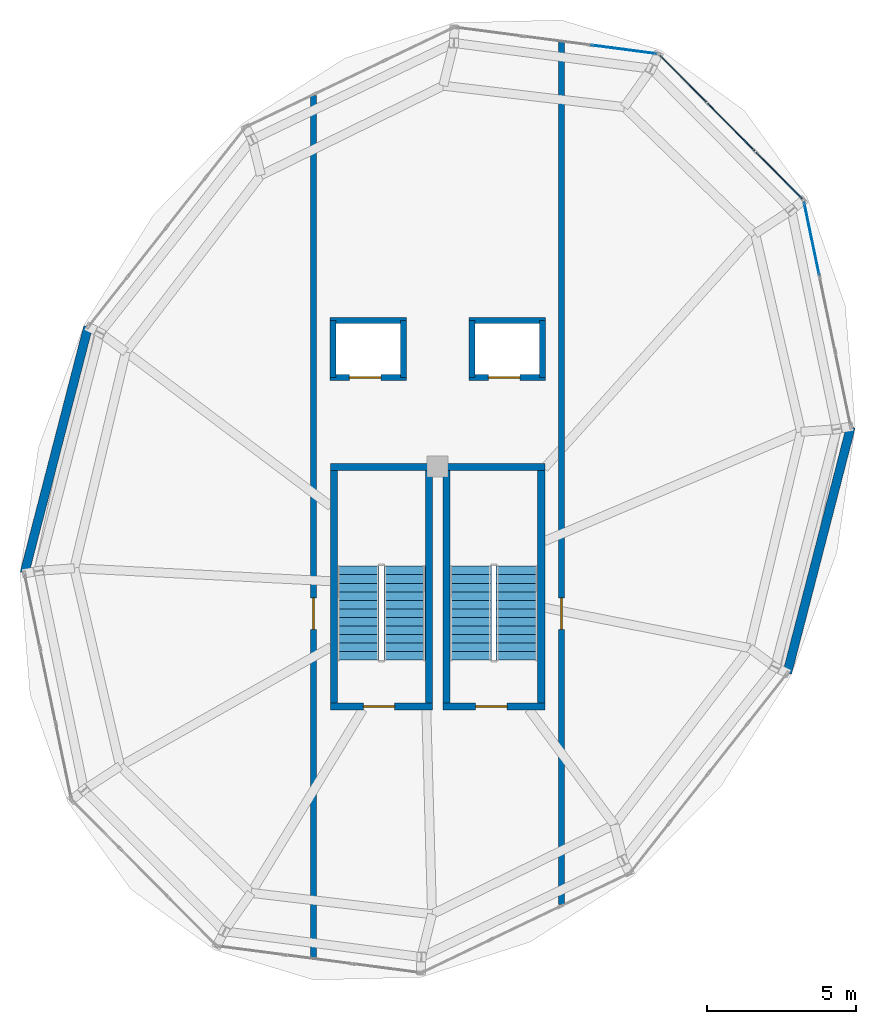
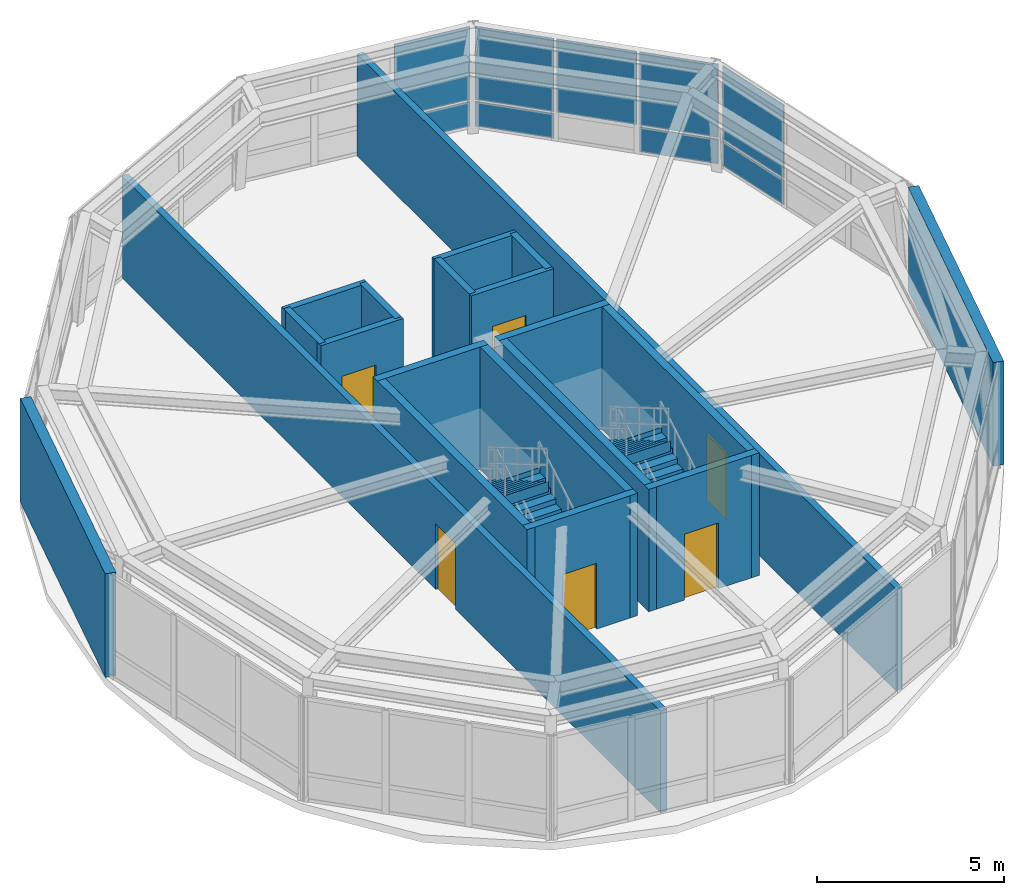
# One storey, part 10 of 11: 20 walls, 9 plates, 6 doors, 4 stair flights, 6 openings, 5 elements without a shape of their own.
"""IFC4 building model written with IfcOpenShell, lengths in metres."""

from ifc_helpers import new_model, si_unit, direction, frame, frame_2d, origin, origin_2d, place, context, subcontext, project, spatial, polyline, rectangle, outline, extrude, material, layer, layer_set, type_object, element, fill, aggregate, save


model = new_model("IFC4")

# Units and contexts
model_context = context("Model", 3, precision=1e-05, world=origin(), true_north=direction((0.0, 1.0)))
body_context = subcontext(model_context, "Body", "Model", "MODEL_VIEW")
ifc_project = project(units=[si_unit("LENGTHUNIT", "METRE"), si_unit("AREAUNIT", "SQUARE_METRE"), si_unit("VOLUMEUNIT", "CUBIC_METRE"), si_unit("PLANEANGLEUNIT", "RADIAN"), si_unit("MASSUNIT", "GRAM", prefix="KILO"), si_unit("THERMODYNAMICTEMPERATUREUNIT", "KELVIN"), si_unit("POWERUNIT", "WATT")], contexts=[model_context])

# Site, building, storey
site_placement = place(None, origin())
site = spatial("IfcSite", under=ifc_project, at=site_placement, CompositionType="ELEMENT")
building_placement = place(site_placement, origin())
building = spatial("IfcBuilding", under=site, at=building_placement, Name="Ocrelia Relay Tower", CompositionType="ELEMENT")
storey_placement = place(building_placement, frame((0.0, 0.0, 292.0)))
storey = spatial("IfcBuildingStorey", under=building, at=storey_placement, Name="L73", CompositionType="ELEMENT", Elevation=292.0)

# Curtain wall, plates
ifc_material_1 = material(Name="Aluminium and solar-control low-E glass", Category="aluminium")
ifc_layer_1 = layer(ifc_material_1, 0.179931640625, Name="Aluminium and solar-control low-E glass")
ifc_layer_set_1 = layer_set([ifc_layer_1], Name="Aluminium and solar-control low-E glass")
curtain_wall_type = type_object("IfcCurtainWallType", Name="CW-SYS-CROWN-PT", PredefinedType="NOTDEFINED", material=ifc_layer_set_1)
curtain_wall_1_placement = place(storey_placement, origin())
curtain_wall_1 = element("IfcCurtainWall", 1, at=curtain_wall_1_placement, inside=storey, type_object=curtain_wall_type, Name="L73 Faceted Glass-Point Crown Curtain Wall 01", PredefinedType="NOTDEFINED")
ifc_material_2 = material(Name="Clear double-glazed low-E glass", Category="glass")
ifc_layer_2 = layer(ifc_material_2, 0.031982421875, Name="Clear double-glazed low-E glass")
ifc_layer_set_2 = layer_set([ifc_layer_2], Name="Clear double-glazed low-E glass")
plate_type = type_object("IfcPlateType", Name="CW-SYS-CROWN-PT-PNL", PredefinedType="CURTAIN_PANEL", material=ifc_layer_set_2)
plate_1_placement = place(storey_placement, frame((40.232177734375, 41.072021484375, 0.06494140625), z_axis=(0.0, 0.0, 1.0), x_axis=(-0.991499842272, 0.13010788898, 0.0)))
plate_1 = element("IfcPlate", 2, at=plate_1_placement, type_object=plate_type, Name="CW-CR panel 1.1", PredefinedType="CURTAIN_PANEL", context=body_context, shape_type="SweptSolid", body=[
    extrude(rectangle(XDim=2.18603515625, YDim=0.031982421875, at=origin_2d()), origin(), (0.0, 0.0, 1.0), 0.802490234375),
])
plate_2_placement = place(storey_placement, frame((40.232177734375, 41.072021484375, 0.932373046875), z_axis=(0.0, 0.0, 1.0), x_axis=(-0.991499842272, 0.13010788898, 0.0)))
plate_2 = element("IfcPlate", 3, at=plate_2_placement, type_object=plate_type, Name="CW-CR panel 1.2", PredefinedType="CURTAIN_PANEL", context=body_context, shape_type="SweptSolid", body=[
    extrude(rectangle(XDim=2.18603515625, YDim=0.031982421875, at=origin_2d()), origin(), (0.0, 0.0, 1.0), 2.392578125),
])
aggregate(curtain_wall_1, [plate_1, plate_2])

curtain_wall_2_placement = place(storey_placement, origin())
curtain_wall_2 = element("IfcCurtainWall", 4, at=curtain_wall_2_placement, inside=storey, type_object=curtain_wall_type, Name="L73 Faceted Glass-Point Crown Curtain Wall 11", PredefinedType="NOTDEFINED")
plate_3_placement = place(storey_placement, frame((46.513427734375, 34.7431640625, 0.06494140625), z_axis=(0.0, 0.0, 1.0), x_axis=(-0.203457068306, 0.979083868397, 0.0)))
plate_3 = element("IfcPlate", 5, at=plate_3_placement, type_object=plate_type, Name="CW-CR panel 3.1", PredefinedType="CURTAIN_PANEL", context=body_context, shape_type="SweptSolid", body=[
    extrude(rectangle(XDim=2.468505859375, YDim=0.031982421875, at=origin_2d()), origin(), (0.0, 0.0, 1.0), 0.802490234375),
])
plate_4_placement = place(storey_placement, frame((46.513427734375, 34.7431640625, 0.932373046875), z_axis=(0.0, 0.0, 1.0), x_axis=(-0.203457068306, 0.979083868397, 0.0)))
plate_4 = element("IfcPlate", 6, at=plate_4_placement, type_object=plate_type, Name="CW-CR panel 3.2", PredefinedType="CURTAIN_PANEL", context=body_context, shape_type="SweptSolid", body=[
    extrude(rectangle(XDim=2.468505859375, YDim=0.031982421875, at=origin_2d()), origin(), (0.0, 0.0, 1.0), 2.392578125),
])
aggregate(curtain_wall_2, [plate_3, plate_4])

curtain_wall_3_placement = place(storey_placement, origin())
curtain_wall_3 = element("IfcCurtainWall", 7, at=curtain_wall_3_placement, inside=storey, type_object=curtain_wall_type, Name="L73 Faceted Glass-Point Crown Curtain Wall 12", PredefinedType="NOTDEFINED")
plate_5_placement = place(storey_placement, frame((45.42431640625, 36.854248046875, 0.06494140625), z_axis=(0.0, 0.0, 1.0), x_axis=(-0.70433153763, 0.709871175003, 0.0)))
plate_5 = element("IfcPlate", 8, at=plate_5_placement, type_object=plate_type, Name="CW-CR panel 1.1", PredefinedType="CURTAIN_PANEL", context=body_context, shape_type="SweptSolid", body=[
    extrude(rectangle(XDim=2.18603515625, YDim=0.031982421875, at=origin_2d()), origin(), (0.0, 0.0, 1.0), 0.802490234375),
])
plate_6_placement = place(storey_placement, frame((45.42431640625, 36.854248046875, 0.932373046875), z_axis=(0.0, 0.0, 1.0), x_axis=(-0.70433153763, 0.709871175003, 0.0)))
plate_6 = element("IfcPlate", 9, at=plate_6_placement, type_object=plate_type, Name="CW-CR panel 1.2", PredefinedType="CURTAIN_PANEL", context=body_context, shape_type="SweptSolid", body=[
    extrude(rectangle(XDim=2.18603515625, YDim=0.031982421875, at=origin_2d()), origin(), (0.0, 0.0, 1.0), 2.392578125),
])
plate_7_placement = place(storey_placement, frame((43.818603515625, 38.47265625, 0.932373046875), z_axis=(0.0, 0.0, 1.0), x_axis=(-0.70433153763, 0.709871175003, 0.0)))
plate_7 = element("IfcPlate", 10, at=plate_7_placement, type_object=plate_type, Name="CW-CR panel 2.2", PredefinedType="CURTAIN_PANEL", context=body_context, shape_type="SweptSolid", body=[
    extrude(rectangle(XDim=2.2236328125, YDim=0.031982421875, at=origin_2d()), origin(), (0.0, 0.0, 1.0), 2.392578125),
])
plate_8_placement = place(storey_placement, frame((42.212890625, 40.0908203125, 0.06494140625), z_axis=(0.0, 0.0, 1.0), x_axis=(-0.70433153763, 0.709871175003, 0.0)))
plate_8 = element("IfcPlate", 11, at=plate_8_placement, type_object=plate_type, Name="CW-CR panel 3.1", PredefinedType="CURTAIN_PANEL", context=body_context, shape_type="SweptSolid", body=[
    extrude(rectangle(XDim=2.18603515625, YDim=0.031982421875, at=origin_2d()), origin(), (0.0, 0.0, 1.0), 0.802490234375),
])
plate_9_placement = place(storey_placement, frame((42.212890625, 40.0908203125, 0.932373046875), z_axis=(0.0, 0.0, 1.0), x_axis=(-0.70433153763, 0.709871175003, 0.0)))
plate_9 = element("IfcPlate", 12, at=plate_9_placement, type_object=plate_type, Name="CW-CR panel 3.2", PredefinedType="CURTAIN_PANEL", context=body_context, shape_type="SweptSolid", body=[
    extrude(rectangle(XDim=2.18603515625, YDim=0.031982421875, at=origin_2d()), origin(), (0.0, 0.0, 1.0), 2.392578125),
])
aggregate(curtain_wall_3, [plate_5, plate_6, plate_7, plate_8, plate_9])

# Wall, opening, door
ifc_material_3 = material(Name="Concrete C50/60", Category="concrete")
ifc_layer_3 = layer(ifc_material_3, 0.239990234375, Name="Concrete C50/60")
ifc_layer_set_3 = layer_set([ifc_layer_3], Name="Concrete C50/60")
wall_type_1 = type_object("IfcWallType", Name="CW-STAIR-240", PredefinedType="SHEAR", material=ifc_layer_set_3)
wall_1_placement = place(storey_placement, frame((30.412109375, 19.092041015625, 0.0), z_axis=(0.0, 0.0, 1.0), x_axis=(1.0, 0.0, 0.0)))
wall_1 = element("IfcWall", 13, at=wall_1_placement, inside=storey, type_object=wall_type_1, Name="L73 ST4 Structural Shaft S Wall", PredefinedType="SHEAR", context=body_context, shape_type="SweptSolid", body=[
    extrude(rectangle(XDim=3.415771484375, YDim=0.239990234375, at=frame_2d((1.7080078125, 0.0))), origin(), (0.0, 0.0, 1.0), 4.0),
])
opening_1_placement = place(wall_1_placement, frame((1.10009765625, 0.0, 0.0)))
opening_1 = element("IfcOpeningElement", 14, at=opening_1_placement, cuts=wall_1, Name="Opening D-FD90", PredefinedType="OPENING", context=body_context, shape_type="SweptSolid", body=[
    extrude(rectangle(XDim=1.050048828125, YDim=2.14990234375, at=frame_2d((0.52490234375, 1.074951171875))), frame((0.0, 0.1298828125, 0.0), z_axis=(0.0, -1.0, 0.0), x_axis=(1.0, 0.0, 0.0)), (0.0, 0.0, 1.0), 0.260009765625),
])
ifc_material_4 = material(Name="Steel S355 90-min fire door", Category="steel")
door_type_1 = type_object("IfcDoorType", Name="DR-STAIR-FD90-1050", OperationType="NOTDEFINED", PredefinedType="DOOR", material=ifc_material_4)
door_1_placement = place(opening_1_placement, origin())
door_1 = element("IfcDoor", 15, at=door_1_placement, inside=storey, type_object=door_type_1, Name="L73 Crown Stair ST4 Fire Door", OperationType="SINGLE_SWING_LEFT", OverallHeight=2.14990234375, OverallWidth=1.050048828125, PredefinedType="DOOR", context=body_context, shape_type="SweptSolid", body=[
    extrude(rectangle(XDim=1.050048828125, YDim=2.14990234375, at=frame_2d((0.52490234375, 1.074951171875))), frame((0.0, 0.02490234375, 0.0), z_axis=(0.0, -1.0, 0.0), x_axis=(1.0, 0.0, 0.0)), (0.0, 0.0, 1.0), 0.050048828125),
])
fill(opening_1, door_1)

# Walls
wall_2_placement = place(storey_placement, frame((30.412109375, 27.10791015625, 0.0), z_axis=(0.0, 0.0, 1.0), x_axis=(1.0, 0.0, 0.0)))
element("IfcWall", 16, at=wall_2_placement, inside=storey, type_object=wall_type_1, Name="L73 ST4 Structural Shaft N Wall", PredefinedType="SHEAR", context=body_context, shape_type="SweptSolid", body=[
    extrude(rectangle(XDim=3.415771484375, YDim=0.239990234375, at=frame_2d((1.7080078125, 0.0))), origin(), (0.0, 0.0, 1.0), 4.0),
])
for number, where, z_axis, x_axis, name in (
    (17, (30.531982421875, 18.971923828125, 0.0), (0.0, 0.0, 1.0), (0.0, 1.0, 0.0), "L73 ST4 Structural Shaft W Wall"),
    (18, (33.7080078125, 18.971923828125, 0.0), (0.0, 0.0, 1.0), (0.0, 1.0, 0.0), "L73 ST4 Structural Shaft E Wall"),
):
    element("IfcWall", number, at=place(storey_placement, frame(where, z_axis=z_axis, x_axis=x_axis)), inside=storey, type_object=wall_type_1, Name=name, PredefinedType="SHEAR", context=body_context, shape_type="SweptSolid", body=[
        extrude(rectangle(XDim=8.256103515625, YDim=0.239990234375, at=frame_2d((4.1279296875, 0.0))), origin(), (0.0, 0.0, 1.0), 4.0),
    ])

# Wall, opening, door
wall_3_placement = place(storey_placement, frame((34.172119140625, 19.092041015625, 0.0), z_axis=(0.0, 0.0, 1.0), x_axis=(1.0, 0.0, 0.0)))
wall_3 = element("IfcWall", 19, at=wall_3_placement, inside=storey, type_object=wall_type_1, Name="L73 ST5 Structural Shaft S Wall", PredefinedType="SHEAR", context=body_context, shape_type="SweptSolid", body=[
    extrude(rectangle(XDim=3.415771484375, YDim=0.239990234375, at=frame_2d((1.7080078125, 0.0))), origin(), (0.0, 0.0, 1.0), 4.0),
])
opening_2_placement = place(wall_3_placement, frame((1.10009765625, 0.0, 0.0)))
opening_2 = element("IfcOpeningElement", 20, at=opening_2_placement, cuts=wall_3, Name="Opening D-FD90", PredefinedType="OPENING", context=body_context, shape_type="SweptSolid", body=[
    extrude(rectangle(XDim=1.050048828125, YDim=2.14990234375, at=frame_2d((0.52490234375, 1.074951171875))), frame((0.0, 0.1298828125, 0.0), z_axis=(0.0, -1.0, 0.0), x_axis=(1.0, 0.0, 0.0)), (0.0, 0.0, 1.0), 0.260009765625),
])
door_2_placement = place(opening_2_placement, origin())
door_2 = element("IfcDoor", 21, at=door_2_placement, inside=storey, type_object=door_type_1, Name="L73 Crown Stair ST5 Fire Door", OperationType="SINGLE_SWING_RIGHT", OverallHeight=2.14990234375, OverallWidth=1.050048828125, PredefinedType="DOOR", context=body_context, shape_type="SweptSolid", body=[
    extrude(rectangle(XDim=1.050048828125, YDim=2.14990234375, at=frame_2d((0.52490234375, 1.074951171875))), frame((0.0, 0.02490234375, 0.0), z_axis=(0.0, -1.0, 0.0), x_axis=(1.0, 0.0, 0.0)), (0.0, 0.0, 1.0), 0.050048828125),
])
fill(opening_2, door_2)

# Walls
wall_4_placement = place(storey_placement, frame((34.172119140625, 27.10791015625, 0.0), z_axis=(0.0, 0.0, 1.0), x_axis=(1.0, 0.0, 0.0)))
element("IfcWall", 22, at=wall_4_placement, inside=storey, type_object=wall_type_1, Name="L73 ST5 Structural Shaft N Wall", PredefinedType="SHEAR", context=body_context, shape_type="SweptSolid", body=[
    extrude(rectangle(XDim=3.415771484375, YDim=0.239990234375, at=frame_2d((1.7080078125, 0.0))), origin(), (0.0, 0.0, 1.0), 4.0),
])
for number, where, z_axis, x_axis, name in (
    (23, (34.2919921875, 18.971923828125, 0.0), (0.0, 0.0, 1.0), (0.0, 1.0, 0.0), "L73 ST5 Structural Shaft W Wall"),
    (24, (37.468017578125, 18.971923828125, 0.0), (0.0, 0.0, 1.0), (0.0, 1.0, 0.0), "L73 ST5 Structural Shaft E Wall"),
):
    element("IfcWall", number, at=place(storey_placement, frame(where, z_axis=z_axis, x_axis=x_axis)), inside=storey, type_object=wall_type_1, Name=name, PredefinedType="SHEAR", context=body_context, shape_type="SweptSolid", body=[
        extrude(rectangle(XDim=8.256103515625, YDim=0.239990234375, at=frame_2d((4.1279296875, 0.0))), origin(), (0.0, 0.0, 1.0), 4.0),
    ])
ifc_material_5 = material(Name="Precast concrete C40/50 with oxide terracotta", Category="masonry")
ifc_layer_4 = layer(ifc_material_5, 0.300048828125, Name="Precast concrete C40/50 with oxide terracotta")
ifc_layer_set_4 = layer_set([ifc_layer_4], Name="Precast concrete C40/50 with oxide terracotta")
wall_type_2 = type_object("IfcWallType", Name="W-EXT-TERR-300", PredefinedType="SOLIDWALL", material=ifc_layer_set_4)
for number, where, z_axis, x_axis, name in (
    (25, (22.305908203125, 31.792236328125, 0.0), (0.0, 0.0, 1.0), (-0.250206108031, -0.968192596286, 0.0), "L73 Crown Braced Terracotta Spine Wall 04"),
    (26, (45.694091796875, 20.207763671875, 0.0), (0.0, 0.0, 1.0), (0.250206108031, 0.968192596286, 0.0), "L73 Crown Braced Terracotta Spine Wall 10"),
):
    element("IfcWall", number, at=place(storey_placement, frame(where, z_axis=z_axis, x_axis=x_axis)), inside=storey, type_object=wall_type_2, Name=name, PredefinedType="SOLIDWALL", context=body_context, shape_type="SweptSolid", body=[
        extrude(rectangle(XDim=8.506591796875, YDim=0.300048828125, at=frame_2d((4.25341796875, 0.0))), origin(), (0.0, 0.0, 1.0), 3.389892578125),
    ])

# Wall, opening, door
ifc_layer_5 = layer(ifc_material_3, 0.199951171875, Name="Concrete C50/60")
ifc_layer_set_5 = layer_set([ifc_layer_5], Name="Concrete C50/60")
wall_type_3 = type_object("IfcWallType", Name="W-SHAFT-EI120-200", PredefinedType="SOLIDWALL", material=ifc_layer_set_5)
wall_5_placement = place(storey_placement, frame((30.39990234375, 30.10009765625, 0.0), z_axis=(0.0, 0.0, 1.0), x_axis=(1.0, 0.0, 0.0)))
wall_5 = element("IfcWall", 27, at=wall_5_placement, inside=storey, type_object=wall_type_3, Name="L73 FFL1 South Wall", PredefinedType="SOLIDWALL", context=body_context, shape_type="SweptSolid", body=[
    extrude(rectangle(XDim=2.550048828125, YDim=0.199951171875, at=frame_2d((1.27490234375, 0.0))), origin(), (0.0, 0.0, 1.0), 3.330078125),
])
opening_3_placement = place(wall_5_placement, frame((0.64990234375, 0.0, 0.0)))
opening_3 = element("IfcOpeningElement", 28, at=opening_3_placement, cuts=wall_5, Name="Opening LD-FFL1", PredefinedType="OPENING", context=body_context, shape_type="SweptSolid", body=[
    extrude(rectangle(XDim=1.050048828125, YDim=2.10009765625, at=frame_2d((0.52490234375, 1.050048828125))), frame((0.0, 0.10986328125, 0.0), z_axis=(0.0, -1.0, 0.0), x_axis=(1.0, 0.0, 0.0)), (0.0, 0.0, 1.0), 0.219970703125),
])
ifc_material_6 = material(Name="Brushed stainless steel S355 lift landing door", Category="steel")
door_type_2 = type_object("IfcDoorType", Name="DR-LIFT-LAND-1050", OperationType="DOUBLE_DOOR_SLIDING", PredefinedType="USERDEFINED", material=ifc_material_6)
door_3_placement = place(opening_3_placement, origin())
door_3 = element("IfcDoor", 29, at=door_3_placement, inside=storey, type_object=door_type_2, Name="L73 FFL1 Sliding Landing Door", ObjectType="LANDING DOOR", OperationType="DOUBLE_DOOR_SLIDING", OverallHeight=2.10009765625, OverallWidth=1.050048828125, PredefinedType="USERDEFINED", context=body_context, shape_type="SweptSolid", body=[
    extrude(rectangle(XDim=1.050048828125, YDim=2.10009765625, at=frame_2d((0.52490234375, 1.050048828125))), frame((0.0, 0.02490234375, 0.0), z_axis=(0.0, -1.0, 0.0), x_axis=(1.0, 0.0, 0.0)), (0.0, 0.0, 1.0), 0.050048828125),
])
fill(opening_3, door_3)

# Walls
wall_6_placement = place(storey_placement, frame((30.39990234375, 32.0, 0.0), z_axis=(0.0, 0.0, 1.0), x_axis=(1.0, 0.0, 0.0)))
element("IfcWall", 30, at=wall_6_placement, inside=storey, type_object=wall_type_3, Name="L73 FFL1 N Wall", PredefinedType="SOLIDWALL", context=body_context, shape_type="SweptSolid", body=[
    extrude(rectangle(XDim=2.550048828125, YDim=0.199951171875, at=frame_2d((1.27490234375, 0.0))), origin(), (0.0, 0.0, 1.0), 3.330078125),
])
for number, where, z_axis, x_axis, name in (
    (31, (30.5, 30.10009765625, 0.0), (0.0, 0.0, 1.0), (0.0, 1.0, 0.0), "L73 FFL1 W Wall"),
    (32, (32.85009765625, 30.10009765625, 0.0), (0.0, 0.0, 1.0), (0.0, 1.0, 0.0), "L73 FFL1 E Wall"),
):
    element("IfcWall", number, at=place(storey_placement, frame(where, z_axis=z_axis, x_axis=x_axis)), inside=storey, type_object=wall_type_3, Name=name, PredefinedType="SOLIDWALL", context=body_context, shape_type="SweptSolid", body=[
        extrude(rectangle(XDim=1.89990234375, YDim=0.199951171875, at=frame_2d((0.949951171875, 0.0))), origin(), (0.0, 0.0, 1.0), 3.330078125),
    ])

# Wall, opening, door
wall_7_placement = place(storey_placement, frame((35.050048828125, 30.10009765625, 0.0), z_axis=(0.0, 0.0, 1.0), x_axis=(1.0, 0.0, 0.0)))
wall_7 = element("IfcWall", 33, at=wall_7_placement, inside=storey, type_object=wall_type_3, Name="L73 FFL2 South Wall", PredefinedType="SOLIDWALL", context=body_context, shape_type="SweptSolid", body=[
    extrude(rectangle(XDim=2.550048828125, YDim=0.199951171875, at=frame_2d((1.27490234375, 0.0))), origin(), (0.0, 0.0, 1.0), 3.330078125),
])
opening_4_placement = place(wall_7_placement, frame((0.64990234375, 0.0, 0.0)))
opening_4 = element("IfcOpeningElement", 34, at=opening_4_placement, cuts=wall_7, Name="Opening LD-FFL2", PredefinedType="OPENING", context=body_context, shape_type="SweptSolid", body=[
    extrude(rectangle(XDim=1.050048828125, YDim=2.10009765625, at=frame_2d((0.52490234375, 1.050048828125))), frame((0.0, 0.10986328125, 0.0), z_axis=(0.0, -1.0, 0.0), x_axis=(1.0, 0.0, 0.0)), (0.0, 0.0, 1.0), 0.219970703125),
])
door_4_placement = place(opening_4_placement, origin())
door_4 = element("IfcDoor", 35, at=door_4_placement, inside=storey, type_object=door_type_2, Name="L73 FFL2 Sliding Landing Door", ObjectType="LANDING DOOR", OperationType="DOUBLE_DOOR_SLIDING", OverallHeight=2.10009765625, OverallWidth=1.050048828125, PredefinedType="USERDEFINED", context=body_context, shape_type="SweptSolid", body=[
    extrude(rectangle(XDim=1.050048828125, YDim=2.10009765625, at=frame_2d((0.52490234375, 1.050048828125))), frame((0.0, 0.02490234375, 0.0), z_axis=(0.0, -1.0, 0.0), x_axis=(1.0, 0.0, 0.0)), (0.0, 0.0, 1.0), 0.050048828125),
])
fill(opening_4, door_4)

# Walls
wall_8_placement = place(storey_placement, frame((35.050048828125, 32.0, 0.0), z_axis=(0.0, 0.0, 1.0), x_axis=(1.0, 0.0, 0.0)))
element("IfcWall", 36, at=wall_8_placement, inside=storey, type_object=wall_type_3, Name="L73 FFL2 N Wall", PredefinedType="SOLIDWALL", context=body_context, shape_type="SweptSolid", body=[
    extrude(rectangle(XDim=2.550048828125, YDim=0.199951171875, at=frame_2d((1.27490234375, 0.0))), origin(), (0.0, 0.0, 1.0), 3.330078125),
])
for number, where, z_axis, x_axis, name in (
    (37, (35.14990234375, 30.10009765625, 0.0), (0.0, 0.0, 1.0), (0.0, 1.0, 0.0), "L73 FFL2 W Wall"),
    (38, (37.5, 30.10009765625, 0.0), (0.0, 0.0, 1.0), (0.0, 1.0, 0.0), "L73 FFL2 E Wall"),
):
    element("IfcWall", number, at=place(storey_placement, frame(where, z_axis=z_axis, x_axis=x_axis)), inside=storey, type_object=wall_type_3, Name=name, PredefinedType="SOLIDWALL", context=body_context, shape_type="SweptSolid", body=[
        extrude(rectangle(XDim=1.89990234375, YDim=0.199951171875, at=frame_2d((0.949951171875, 0.0))), origin(), (0.0, 0.0, 1.0), 3.330078125),
    ])

# Wall, opening, door
wall_9_placement = place(storey_placement, frame((29.85009765625, 10.683837890625, 0.0), z_axis=(0.0, 0.0, 1.0), x_axis=(0.0, 1.0, 0.0)))
wall_9 = element("IfcWall", 39, at=wall_9_placement, inside=storey, type_object=wall_type_3, Name="L73 Crown Lobby West Wall", PredefinedType="SOLIDWALL", context=body_context, shape_type="SweptSolid", body=[
    extrude(rectangle(XDim=28.851806640625, YDim=0.199951171875, at=frame_2d((14.42578125, 0.0))), origin(), (0.0, 0.0, 1.0), 3.330078125),
])
opening_5_placement = place(wall_9_placement, frame((10.9912109375, 0.0, 0.0)))
opening_5 = element("IfcOpeningElement", 40, at=opening_5_placement, cuts=wall_9, Name="Opening D-FD90", PredefinedType="OPENING", context=body_context, shape_type="SweptSolid", body=[
    extrude(rectangle(XDim=1.050048828125, YDim=2.14990234375, at=frame_2d((0.52490234375, 1.074951171875))), frame((0.0, 0.10986328125, 0.0), z_axis=(0.0, -1.0, 0.0), x_axis=(1.0, 0.0, 0.0)), (0.0, 0.0, 1.0), 0.219970703125),
])
door_5_placement = place(opening_5_placement, origin())
door_5 = element("IfcDoor", 41, at=door_5_placement, inside=storey, type_object=door_type_1, Name="L73 West Chiller Plant Door", OperationType="SINGLE_SWING_LEFT", OverallHeight=2.14990234375, OverallWidth=1.050048828125, PredefinedType="DOOR", context=body_context, shape_type="SweptSolid", body=[
    extrude(rectangle(XDim=1.050048828125, YDim=2.14990234375, at=frame_2d((0.52490234375, 1.074951171875))), frame((0.0, 0.02490234375, 0.0), z_axis=(0.0, -1.0, 0.0), x_axis=(1.0, 0.0, 0.0)), (0.0, 0.0, 1.0), 0.050048828125),
])
fill(opening_5, door_5)

wall_10_placement = place(storey_placement, frame((38.14990234375, 12.46435546875, 0.0), z_axis=(0.0, 0.0, 1.0), x_axis=(0.0, 1.0, 0.0)))
wall_10 = element("IfcWall", 42, at=wall_10_placement, inside=storey, type_object=wall_type_3, Name="L73 Crown Lobby East Wall", PredefinedType="SOLIDWALL", context=body_context, shape_type="SweptSolid", body=[
    extrude(rectangle(XDim=28.851806640625, YDim=0.199951171875, at=frame_2d((14.42578125, 0.0))), origin(), (0.0, 0.0, 1.0), 3.330078125),
])
opening_6_placement = place(wall_10_placement, frame((9.210693359375, 0.0, 0.0)))
opening_6 = element("IfcOpeningElement", 43, at=opening_6_placement, cuts=wall_10, Name="Opening D-FD90", PredefinedType="OPENING", context=body_context, shape_type="SweptSolid", body=[
    extrude(rectangle(XDim=1.050048828125, YDim=2.14990234375, at=frame_2d((0.52490234375, 1.074951171875))), frame((0.0, 0.10986328125, 0.0), z_axis=(0.0, -1.0, 0.0), x_axis=(1.0, 0.0, 0.0)), (0.0, 0.0, 1.0), 0.219970703125),
])
door_6_placement = place(opening_6_placement, origin())
door_6 = element("IfcDoor", 44, at=door_6_placement, inside=storey, type_object=door_type_1, Name="L73 East Switchgear Plant Door", OperationType="SINGLE_SWING_RIGHT", OverallHeight=2.14990234375, OverallWidth=1.050048828125, PredefinedType="DOOR", context=body_context, shape_type="SweptSolid", body=[
    extrude(rectangle(XDim=1.050048828125, YDim=2.14990234375, at=frame_2d((0.52490234375, 1.074951171875))), frame((0.0, 0.02490234375, 0.0), z_axis=(0.0, -1.0, 0.0), x_axis=(1.0, 0.0, 0.0)), (0.0, 0.0, 1.0), 0.050048828125),
])
fill(opening_6, door_6)

# Stair, stair flights
stair_type = type_object("IfcStairType", Name="ST-DL-1400-R167", PredefinedType="HALF_TURN_STAIR", material=ifc_material_3)
stair_1_placement = place(storey_placement, origin())
stair_1 = element("IfcStair", 45, at=stair_1_placement, inside=storey, type_object=stair_type, Name="L73 Crown North-West Stair ST4", PredefinedType="HALF_TURN_STAIR")
stair_flight_type = type_object("IfcStairFlightType", Name="STF-DL-1400-R167", PredefinedType="STRAIGHT", material=ifc_material_3)
stair_flight_1_placement = place(storey_placement, frame((32.89990234375, 20.64990234375, 0.0), z_axis=(0.0, 0.0, 1.0), x_axis=(0.0, 1.0, 0.0)))
stair_flight_1 = element("IfcStairFlight", 46, at=stair_flight_1_placement, type_object=stair_flight_type, Name="ST4 flight 1", NumberOfRisers=12, NumberOfTreads=11, PredefinedType="STRAIGHT", RiserHeight=0.166666667, TreadLength=0.285, context=body_context, shape_type="SweptSolid", body=[
    extrude(outline(polyline([(-0.008056640625, 0.0), (-0.008056640625, 0.166748046875), (0.0, 0.166748046875), (0.284912109375, 0.166748046875), (0.284912109375, 0.333251953125), (0.570068359375, 0.333251953125), (0.570068359375, 0.5), (0.85498046875, 0.5), (0.85498046875, 0.666748046875), (1.139892578125, 0.666748046875), (1.139892578125, 0.833251953125), (1.425048828125, 0.833251953125), (1.425048828125, 1.0), (1.7099609375, 1.0), (1.7099609375, 1.166748046875), (1.9951171875, 1.166748046875), (1.9951171875, 1.333251953125), (2.280029296875, 1.333251953125), (2.280029296875, 1.5), (2.56494140625, 1.5), (2.56494140625, 1.666748046875), (2.85009765625, 1.666748046875), (2.85009765625, 1.833251953125), (3.135009765625, 1.833251953125), (3.135009765625, 2.0), (3.14306640625, 2.0), (3.14306640625, 1.65966796875), (0.296875, 0.0), (-0.008056640625, 0.0)])), frame((0.0, 0.699951171875, 0.0), z_axis=(0.0, -1.0, 0.0), x_axis=(1.0, 0.0, 0.0)), (0.0, 0.0, 1.0), 1.39990234375),
])
stair_flight_2_placement = place(storey_placement, frame((31.340087890625, 23.784912109375, 2.0), z_axis=(0.0, 0.0, 1.0), x_axis=(0.0, -1.0, 0.0)))
stair_flight_2 = element("IfcStairFlight", 47, at=stair_flight_2_placement, type_object=stair_flight_type, Name="ST4 flight 2", NumberOfRisers=12, NumberOfTreads=11, PredefinedType="STRAIGHT", RiserHeight=0.166666667, TreadLength=0.285, context=body_context, shape_type="SweptSolid", body=[
    extrude(outline(polyline([(-0.008056640625, 0.0), (-0.008056640625, 0.166748046875), (0.0, 0.166748046875), (0.284912109375, 0.166748046875), (0.284912109375, 0.333251953125), (0.570068359375, 0.333251953125), (0.570068359375, 0.5), (0.85498046875, 0.5), (0.85498046875, 0.666748046875), (1.139892578125, 0.666748046875), (1.139892578125, 0.833251953125), (1.425048828125, 0.833251953125), (1.425048828125, 1.0), (1.7099609375, 1.0), (1.7099609375, 1.166748046875), (1.9951171875, 1.166748046875), (1.9951171875, 1.333251953125), (2.280029296875, 1.333251953125), (2.280029296875, 1.5), (2.56494140625, 1.5), (2.56494140625, 1.666748046875), (2.85009765625, 1.666748046875), (2.85009765625, 1.833251953125), (3.135009765625, 1.833251953125), (3.135009765625, 2.0), (3.14306640625, 2.0), (3.14306640625, 1.65966796875), (0.296875, 0.0), (-0.008056640625, 0.0)])), frame((0.0, 0.699951171875, 0.0), z_axis=(0.0, -1.0, 0.0), x_axis=(1.0, 0.0, 0.0)), (0.0, 0.0, 1.0), 1.39990234375),
])
aggregate(stair_1, [stair_flight_1, stair_flight_2])

stair_2_placement = place(storey_placement, origin())
stair_2 = element("IfcStair", 48, at=stair_2_placement, inside=storey, type_object=stair_type, Name="L73 Crown North-East Stair ST5", PredefinedType="HALF_TURN_STAIR")
stair_flight_3_placement = place(storey_placement, frame((36.659912109375, 20.64990234375, 0.0), z_axis=(0.0, 0.0, 1.0), x_axis=(0.0, 1.0, 0.0)))
stair_flight_3 = element("IfcStairFlight", 49, at=stair_flight_3_placement, type_object=stair_flight_type, Name="ST5 flight 1", NumberOfRisers=12, NumberOfTreads=11, PredefinedType="STRAIGHT", RiserHeight=0.166666667, TreadLength=0.285, context=body_context, shape_type="SweptSolid", body=[
    extrude(outline(polyline([(-0.008056640625, 0.0), (-0.008056640625, 0.166748046875), (0.0, 0.166748046875), (0.284912109375, 0.166748046875), (0.284912109375, 0.333251953125), (0.570068359375, 0.333251953125), (0.570068359375, 0.5), (0.85498046875, 0.5), (0.85498046875, 0.666748046875), (1.139892578125, 0.666748046875), (1.139892578125, 0.833251953125), (1.425048828125, 0.833251953125), (1.425048828125, 1.0), (1.7099609375, 1.0), (1.7099609375, 1.166748046875), (1.9951171875, 1.166748046875), (1.9951171875, 1.333251953125), (2.280029296875, 1.333251953125), (2.280029296875, 1.5), (2.56494140625, 1.5), (2.56494140625, 1.666748046875), (2.85009765625, 1.666748046875), (2.85009765625, 1.833251953125), (3.135009765625, 1.833251953125), (3.135009765625, 2.0), (3.14306640625, 2.0), (3.14306640625, 1.65966796875), (0.296875, 0.0), (-0.008056640625, 0.0)])), frame((0.0, 0.699951171875, 0.0), z_axis=(0.0, -1.0, 0.0), x_axis=(1.0, 0.0, 0.0)), (0.0, 0.0, 1.0), 1.39990234375),
])
stair_flight_4_placement = place(storey_placement, frame((35.10009765625, 23.784912109375, 2.0), z_axis=(0.0, 0.0, 1.0), x_axis=(0.0, -1.0, 0.0)))
stair_flight_4 = element("IfcStairFlight", 50, at=stair_flight_4_placement, type_object=stair_flight_type, Name="ST5 flight 2", NumberOfRisers=12, NumberOfTreads=11, PredefinedType="STRAIGHT", RiserHeight=0.166666667, TreadLength=0.285, context=body_context, shape_type="SweptSolid", body=[
    extrude(outline(polyline([(-0.008056640625, 0.0), (-0.008056640625, 0.166748046875), (0.0, 0.166748046875), (0.284912109375, 0.166748046875), (0.284912109375, 0.333251953125), (0.570068359375, 0.333251953125), (0.570068359375, 0.5), (0.85498046875, 0.5), (0.85498046875, 0.666748046875), (1.139892578125, 0.666748046875), (1.139892578125, 0.833251953125), (1.425048828125, 0.833251953125), (1.425048828125, 1.0), (1.7099609375, 1.0), (1.7099609375, 1.166748046875), (1.9951171875, 1.166748046875), (1.9951171875, 1.333251953125), (2.280029296875, 1.333251953125), (2.280029296875, 1.5), (2.56494140625, 1.5), (2.56494140625, 1.666748046875), (2.85009765625, 1.666748046875), (2.85009765625, 1.833251953125), (3.135009765625, 1.833251953125), (3.135009765625, 2.0), (3.14306640625, 2.0), (3.14306640625, 1.65966796875), (0.296875, 0.0), (-0.008056640625, 0.0)])), frame((0.0, 0.699951171875, 0.0), z_axis=(0.0, -1.0, 0.0), x_axis=(1.0, 0.0, 0.0)), (0.0, 0.0, 1.0), 1.39990234375),
])
aggregate(stair_2, [stair_flight_3, stair_flight_4])

save(model, "model.ifc")
